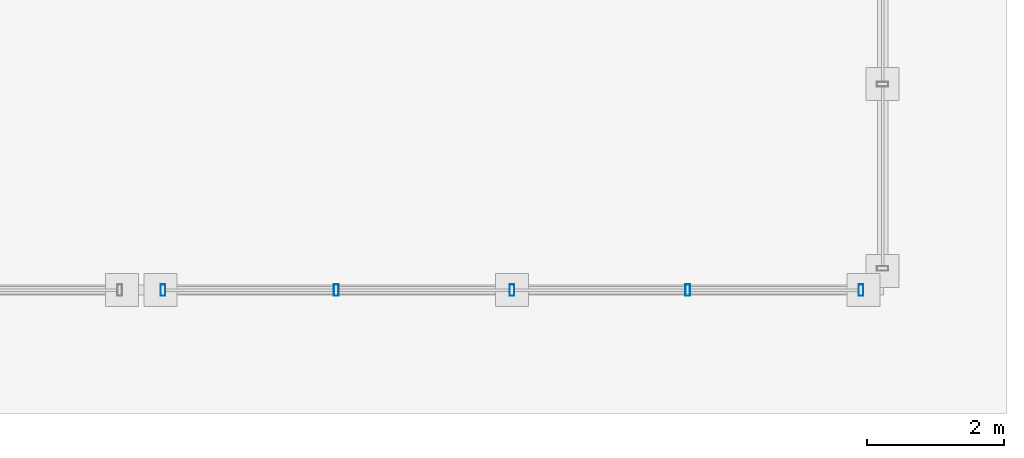
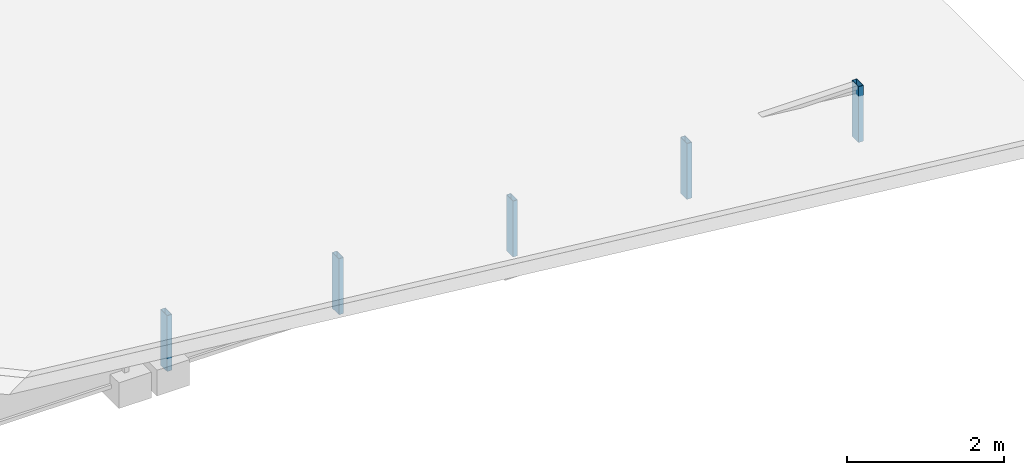
# One storey, part 80 of 117: 5 members, 1 element without a shape of its own.
"""IFC4 building model written with IfcOpenShell, lengths in metres."""

from ifc_helpers import new_model, si_unit, direction, frame, origin, origin_2d, place, context, subcontext, project, spatial, hollow_rectangle, extrude, material, material_profile, profile_set, type_object, element, aggregate, save


model = new_model("IFC4")

# Units and contexts
model_context = context("Model", 3, precision=1e-05, world=origin(), true_north=direction((0.0, 1.0)))
body_context = subcontext(model_context, "Body", "Model", "MODEL_VIEW")
ifc_project = project(units=[si_unit("LENGTHUNIT", "METRE"), si_unit("AREAUNIT", "SQUARE_METRE"), si_unit("VOLUMEUNIT", "CUBIC_METRE"), si_unit("PLANEANGLEUNIT", "RADIAN"), si_unit("MASSUNIT", "GRAM", prefix="KILO")], contexts=[model_context])

# Site, building, storey
site_placement = place(None, origin())
site = spatial("IfcSite", under=ifc_project, at=site_placement, CompositionType="ELEMENT")
building_placement = place(site_placement, origin())
building = spatial("IfcBuilding", under=site, at=building_placement, Name="Merenkruunu Market Hall", CompositionType="ELEMENT")
storey_placement = place(building_placement, frame((0.0, 0.0, 22.800048828125)))
storey = spatial("IfcBuildingStorey", under=building, at=storey_placement, Name="RF", CompositionType="ELEMENT", Elevation=22.800048828125)

# Curtain wall, members
ifc_material = material(Name="Powder-coated aluminium", Category="aluminium")
curtain_wall_type = type_object("IfcCurtainWallType", Name="Clerestory Curtain Band CL03", PredefinedType="USERDEFINED", material=ifc_material)
curtain_wall_placement = place(storey_placement, origin())
curtain_wall = element("IfcCurtainWall", 1, at=curtain_wall_placement, inside=storey, type_object=curtain_wall_type, Name="CW-RF-CWM04-246", ObjectType="CLERESTORY_BAND", PredefinedType="USERDEFINED")
ifc_material_profile = material_profile(ifc_material, hollow_rectangle(XDim=0.070068359375, YDim=0.169921875, WallThickness=0.0048828125, at=origin_2d()), Name="ALU 70x170x5")
ifc_profile_set = profile_set([ifc_material_profile], Name="Powder-coated aluminium")
member_type = type_object("IfcMemberType", Name="Curtain Wall Mullion CWM04", PredefinedType="MULLION", material=ifc_profile_set)
member_1_placement = place(storey_placement, frame((191.68505859375, 0.0, -1.719970703125), z_axis=(0.0, 0.0, 1.0), x_axis=(-1.0, 0.0, 0.0)))
member_1 = element("IfcMember", 2, at=member_1_placement, type_object=member_type, Name="CL03 mullion 1", PredefinedType="MULLION", context=body_context, shape_type="SweptSolid", body=[
    extrude(hollow_rectangle(XDim=0.070068359375, YDim=0.169921875, WallThickness=0.0048828125, at=origin_2d()), origin(), (0.0, 0.0, 1.0), 0.869873046875),
])
member_2_placement = place(storey_placement, frame((189.159912109375, 0.0, -1.719970703125), z_axis=(0.0, 0.0, 1.0), x_axis=(-1.0, 0.0, 0.0)))
member_2 = element("IfcMember", 3, at=member_2_placement, type_object=member_type, Name="CL03 mullion 2", PredefinedType="MULLION", context=body_context, shape_type="SweptSolid", body=[
    extrude(hollow_rectangle(XDim=0.070068359375, YDim=0.169921875, WallThickness=0.0048828125, at=origin_2d()), origin(), (0.0, 0.0, 1.0), 0.869873046875),
])
member_3_placement = place(storey_placement, frame((186.60009765625, 0.0, -1.719970703125), z_axis=(0.0, 0.0, 1.0), x_axis=(-1.0, 0.0, 0.0)))
member_3 = element("IfcMember", 4, at=member_3_placement, type_object=member_type, Name="CL03 mullion 3", PredefinedType="MULLION", context=body_context, shape_type="SweptSolid", body=[
    extrude(hollow_rectangle(XDim=0.070068359375, YDim=0.169921875, WallThickness=0.0048828125, at=origin_2d()), origin(), (0.0, 0.0, 1.0), 0.869873046875),
])
member_4_placement = place(storey_placement, frame((184.0400390625, 0.0, -1.719970703125), z_axis=(0.0, 0.0, 1.0), x_axis=(-1.0, 0.0, 0.0)))
member_4 = element("IfcMember", 5, at=member_4_placement, type_object=member_type, Name="CL03 mullion 4", PredefinedType="MULLION", context=body_context, shape_type="SweptSolid", body=[
    extrude(hollow_rectangle(XDim=0.070068359375, YDim=0.169921875, WallThickness=0.0048828125, at=origin_2d()), origin(), (0.0, 0.0, 1.0), 0.869873046875),
])
member_5_placement = place(storey_placement, frame((181.514892578125, 0.0, -1.719970703125), z_axis=(0.0, 0.0, 1.0), x_axis=(-1.0, 0.0, 0.0)))
member_5 = element("IfcMember", 6, at=member_5_placement, type_object=member_type, Name="CL03 mullion 5", PredefinedType="MULLION", context=body_context, shape_type="SweptSolid", body=[
    extrude(hollow_rectangle(XDim=0.070068359375, YDim=0.169921875, WallThickness=0.0048828125, at=origin_2d()), origin(), (0.0, 0.0, 1.0), 0.869873046875),
])
aggregate(curtain_wall, [member_1, member_2, member_3, member_4, member_5])

save(model, "model.ifc")
